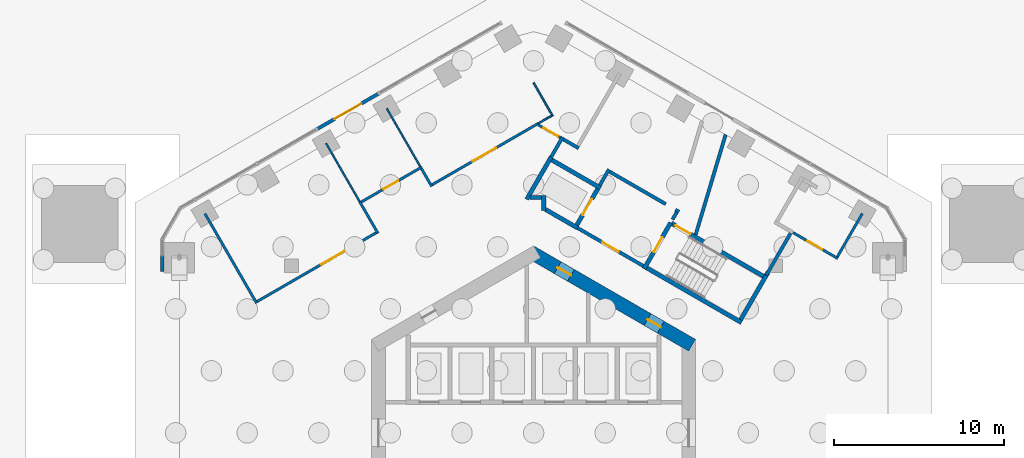
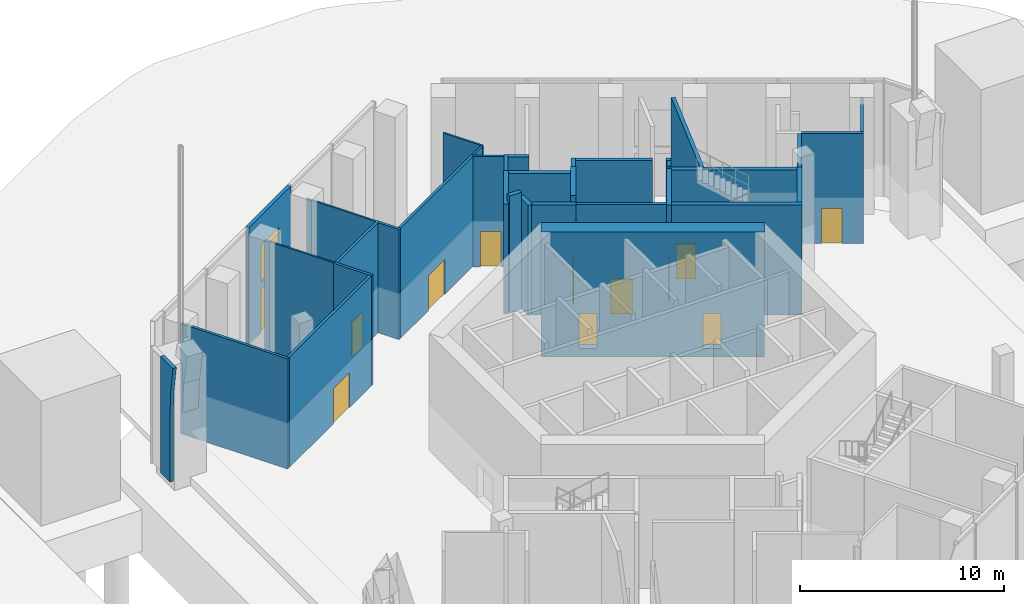
# One storey, part 11 of 18: 35 walls, 12 doors, 1 window, 13 openings.
"""IFC4 building model written with IfcOpenShell, lengths in metres."""

from ifc_helpers import new_model, si_unit, direction, frame, frame_2d, origin, place, context, subcontext, project, spatial, polyline, rectangle, outline, extrude, material, layer, layer_set, type_object, element, fill, save


model = new_model("IFC4")

# Units and contexts
model_context = context("Model", 3, precision=1e-05, world=origin(), true_north=direction((0.0, 1.0)))
body_context = subcontext(model_context, "Body", "Model", "MODEL_VIEW")
ifc_project = project(units=[si_unit("LENGTHUNIT", "METRE"), si_unit("AREAUNIT", "SQUARE_METRE"), si_unit("VOLUMEUNIT", "CUBIC_METRE"), si_unit("PLANEANGLEUNIT", "RADIAN"), si_unit("MASSUNIT", "GRAM", prefix="KILO")], contexts=[model_context])

# Site, building, storey
site_placement = place(None, origin())
site = spatial("IfcSite", under=ifc_project, at=site_placement, CompositionType="ELEMENT")
building_placement = place(site_placement, origin())
building = spatial("IfcBuilding", under=site, at=building_placement, Name="Ayvan Gate Tower", CompositionType="ELEMENT")
storey_placement = place(building_placement, origin())
storey = spatial("IfcBuildingStorey", under=building, at=storey_placement, Name="L00", CompositionType="ELEMENT", Elevation=0.0)

# Wall
ifc_material_1 = material(Name="Pale metal cladding on insulated wall")
ifc_layer_1 = layer(ifc_material_1, 0.199951171875)
ifc_layer_set_1 = layer_set([ifc_layer_1], Name="Pale metal cladding on insulated wall")
wall_type_1 = type_object("IfcWallType", Name="Arch tympanum wall 200", PredefinedType="SOLIDWALL", material=ifc_layer_set_1)
wall_1_placement = place(storey_placement, frame((-21.6845703125, 10.399658203125, 7.0), z_axis=(1.0, 0.0, 0.0), x_axis=(0.0, -1.0, 0.0)))
element("IfcWall", 1, at=wall_1_placement, inside=storey, type_object=wall_type_1, Name="Arch tympanum wall L00 face 3", PredefinedType="SOLIDWALL", context=body_context, shape_type="SweptSolid", body=[
    extrude(outline(polyline([(0.0, 0.0), (1.222900390625, 0.0), (1.2158203125, 0.028076171875), (0.994140625, 1.5068359375), (0.920166015625, 3.0), (0.920166015625, 7.0), (0.0, 7.0), (0.0, 0.0)])), origin(), (0.0, 0.0, -1.0), 0.199951171875),
])

# Wall, openings, doors
ifc_material_2 = material(Name="Concrete C70/85", Category="concrete")
ifc_layer_2 = layer(ifc_material_2, 0.800048828125)
ifc_layer_set_2 = layer_set([ifc_layer_2], Name="Concrete C70/85")
wall_type_2 = type_object("IfcWallType", Name="Core wall 800 C70/85", PredefinedType="SHEAR", material=ifc_layer_set_2)
wall_2_placement = place(storey_placement, frame((9.300048828125, 5.138427734375, -0.5), z_axis=(0.0, 0.0, 1.0), x_axis=(-0.866023993627, 0.500002442456, 0.0)))
wall_2 = element("IfcWall", 2, at=wall_2_placement, inside=storey, type_object=wall_type_2, Name="CORE-L00-1", PredefinedType="SHEAR", context=body_context, shape_type="SweptSolid", body=[
    extrude(rectangle(XDim=10.9697265625, YDim=0.800048828125, at=frame_2d((5.48486328125, 0.0))), origin(), (0.0, 0.0, 1.0), 7.5),
])
opening_1_placement = place(wall_2_placement, frame((8.209716796875, 0.0, 0.5)))
opening_1 = element("IfcOpeningElement", 3, at=opening_1_placement, cuts=wall_2, Name="Opening L00-D87", PredefinedType="OPENING", context=body_context, shape_type="SweptSolid", body=[
    extrude(rectangle(XDim=0.89990234375, YDim=2.10009765625, at=frame_2d((0.449951171875, 1.050048828125))), frame((0.0, 0.409912109375, 0.0), z_axis=(0.0, -1.0, 0.0), x_axis=(1.0, 0.0, 0.0)), (0.0, 0.0, 1.0), 0.820068359375),
])
opening_2_placement = place(wall_2_placement, frame((2.1259765625, 0.0, 0.5)))
opening_2 = element("IfcOpeningElement", 4, at=opening_2_placement, cuts=wall_2, Name="Opening L00-D88", PredefinedType="OPENING", context=body_context, shape_type="SweptSolid", body=[
    extrude(rectangle(XDim=0.89990234375, YDim=2.10009765625, at=frame_2d((0.449951171875, 1.050048828125))), frame((0.0, 0.409912109375, 0.0), z_axis=(0.0, -1.0, 0.0), x_axis=(1.0, 0.0, 0.0)), (0.0, 0.0, 1.0), 0.820068359375),
])
ifc_material_3 = material(Name="Timber door leaf", Category="wood")
door_type_1 = type_object("IfcDoorType", Name="DT-900", OperationType="NOTDEFINED", PredefinedType="DOOR", material=ifc_material_3)
door_1_placement = place(opening_1_placement, origin())
door_1 = element("IfcDoor", 5, at=door_1_placement, inside=storey, type_object=door_type_1, Name="CD-L00-87", OperationType="SINGLE_SWING_LEFT", OverallHeight=2.10009765625, OverallWidth=0.89990234375, PredefinedType="DOOR", context=body_context, shape_type="SweptSolid", body=[
    extrude(rectangle(XDim=0.89990234375, YDim=2.10009765625, at=frame_2d((0.449951171875, 1.050048828125))), frame((0.0, 0.02490234375, 0.0), z_axis=(0.0, -1.0, 0.0), x_axis=(1.0, 0.0, 0.0)), (0.0, 0.0, 1.0), 0.050048828125),
])
fill(opening_1, door_1)
door_2_placement = place(opening_2_placement, origin())
door_2 = element("IfcDoor", 6, at=door_2_placement, inside=storey, type_object=door_type_1, Name="CD-L00-88", OperationType="SINGLE_SWING_RIGHT", OverallHeight=2.10009765625, OverallWidth=0.89990234375, PredefinedType="DOOR", context=body_context, shape_type="SweptSolid", body=[
    extrude(rectangle(XDim=0.89990234375, YDim=2.10009765625, at=frame_2d((0.449951171875, 1.050048828125))), frame((0.0, 0.02490234375, 0.0), z_axis=(0.0, -1.0, 0.0), x_axis=(1.0, 0.0, 0.0)), (0.0, 0.0, 1.0), 0.050048828125),
])
fill(opening_2, door_2)

# Wall, openings, door, window
ifc_material_4 = material(Name="Insulated metal panel wall")
ifc_layer_3 = layer(ifc_material_4, 0.199951171875)
ifc_layer_set_3 = layer_set([ifc_layer_3], Name="Insulated metal panel wall")
wall_type_3 = type_object("IfcWallType", Name="Lobby entrance wall 200", PredefinedType="SOLIDWALL", material=ifc_layer_set_3)
wall_3_placement = place(storey_placement, frame((-9.11376953125, 19.892822265625, 0.0), z_axis=(0.0, 0.0, 1.0), x_axis=(-0.866036113234, -0.499981450231, 0.0)))
wall_3 = element("IfcWall", 7, at=wall_3_placement, inside=storey, type_object=wall_type_3, Name="EW:L00:2:ent", PredefinedType="SOLIDWALL", context=body_context, shape_type="SweptSolid", body=[
    extrude(rectangle(XDim=4.107177734375, YDim=0.199951171875, at=frame_2d((2.0537109375, 0.0))), origin(), (0.0, 0.0, 1.0), 7.0),
])
opening_3_placement = place(wall_3_placement, frame((1.153564453125, 0.0, 0.0)))
opening_3 = element("IfcOpeningElement", 8, at=opening_3_placement, cuts=wall_3, Name="Opening L00-D82", PredefinedType="OPENING", context=body_context, shape_type="SweptSolid", body=[
    extrude(rectangle(XDim=1.800048828125, YDim=2.60009765625, at=frame_2d((0.89990234375, 1.300048828125))), frame((0.0, 0.10986328125, 0.0), z_axis=(0.0, -1.0, 0.0), x_axis=(1.0, 0.0, 0.0)), (0.0, 0.0, 1.0), 0.219970703125),
])
opening_4_placement = place(wall_3_placement, frame((1.153564453125, 0.0, 3.0)))
opening_4 = element("IfcOpeningElement", 9, at=opening_4_placement, cuts=wall_3, Name="Opening W-E", PredefinedType="OPENING", context=body_context, shape_type="SweptSolid", body=[
    extrude(rectangle(XDim=1.800048828125, YDim=2.199951171875, at=frame_2d((0.89990234375, 1.10009765625))), frame((0.0, 0.10986328125, 0.0), z_axis=(0.0, -1.0, 0.0), x_axis=(1.0, 0.0, 0.0)), (0.0, 0.0, 1.0), 0.219970703125),
])
ifc_material_5 = material(Name="Bronze anodised aluminium and clear glass", Category="aluminium")
door_type_2 = type_object("IfcDoorType", Name="Entrance door pair D-E", OperationType="DOUBLE_DOOR_DOUBLE_SWING", PredefinedType="DOOR", material=ifc_material_5)
door_3_placement = place(opening_3_placement, origin())
door_3 = element("IfcDoor", 10, at=door_3_placement, inside=storey, type_object=door_type_2, Name="Entrance door 2", OperationType="DOUBLE_DOOR_DOUBLE_SWING", OverallHeight=2.60009765625, OverallWidth=1.800048828125, PredefinedType="DOOR", context=body_context, shape_type="SweptSolid", body=[
    extrude(rectangle(XDim=1.800048828125, YDim=2.60009765625, at=frame_2d((0.89990234375, 1.300048828125))), frame((0.0, 0.02490234375, 0.0), z_axis=(0.0, -1.0, 0.0), x_axis=(1.0, 0.0, 0.0)), (0.0, 0.0, 1.0), 0.050048828125),
])
fill(opening_3, door_3)
window_type = type_object("IfcWindowType", Name="Entrance transom light W-E", PartitioningType="SINGLE_PANEL", PredefinedType="WINDOW", material=ifc_material_5)
window_placement = place(opening_4_placement, origin())
window = element("IfcWindow", 11, at=window_placement, inside=storey, type_object=window_type, Name="Entrance transom light 2", OverallHeight=2.199951171875, OverallWidth=1.800048828125, PartitioningType="SINGLE_PANEL", PredefinedType="WINDOW", context=body_context, shape_type="SweptSolid", body=[
    extrude(rectangle(XDim=1.800048828125, YDim=2.199951171875, at=frame_2d((0.89990234375, 1.10009765625))), frame((0.0, 0.030029296875, 0.0), z_axis=(0.0, -1.0, 0.0), x_axis=(1.0, 0.0, 0.0)), (0.0, 0.0, 1.0), 0.06005859375),
])
fill(opening_4, window)

# Walls
ifc_material_6 = material(Name="Plasterboard on steel stud", Category="steel")
ifc_layer_4 = layer(ifc_material_6, 0.14990234375)
ifc_layer_set_4 = layer_set([ifc_layer_4], Name="Plasterboard on steel stud")
wall_type_4 = type_object("IfcWallType", Name="WT-CORR-150", PredefinedType="PARTITIONING", material=ifc_layer_set_4)
wall_4_placement = place(storey_placement, frame((-16.2470703125, 7.60498046875, 0.0), z_axis=(0.0, 0.0, 1.0), x_axis=(-0.500020467139, 0.866013586754, 0.0)))
element("IfcWall", 12, at=wall_4_placement, inside=storey, type_object=wall_type_4, Name="IW-L00-002", PredefinedType="PARTITIONING", context=body_context, shape_type="SweptSolid", body=[
    extrude(rectangle(XDim=6.074951171875, YDim=0.14990234375, at=frame_2d((3.03759765625, 0.0))), origin(), (0.0, 0.0, 1.0), 6.60009765625),
])
wall_5_placement = place(storey_placement, frame((-10.208251953125, 13.57421875, 0.0), z_axis=(0.0, 0.0, 1.0), x_axis=(0.499961633463, -0.866047553582, 0.0)))
element("IfcWall", 13, at=wall_5_placement, inside=storey, type_object=wall_type_4, Name="IW-L00-008", PredefinedType="PARTITIONING", context=body_context, shape_type="SweptSolid", body=[
    extrude(rectangle(XDim=2.150146484375, YDim=0.14990234375, at=frame_2d((1.0751953125, 0.0))), origin(), (0.0, 0.0, 1.0), 6.60009765625),
])

# Wall, opening, door
wall_6_placement = place(storey_placement, frame((-9.235595703125, 11.739501953125, 0.0), z_axis=(0.0, 0.0, 1.0), x_axis=(-0.86604190943, -0.499971410293, 0.0)))
wall_6 = element("IfcWall", 14, at=wall_6_placement, inside=storey, type_object=wall_type_4, Name="IW-L00-013", PredefinedType="PARTITIONING", context=body_context, shape_type="SweptSolid", body=[
    extrude(rectangle(XDim=8.064453125, YDim=0.14990234375, at=frame_2d((4.0322265625, 0.0))), origin(), (0.0, 0.0, 1.0), 6.60009765625),
])
opening_5_placement = place(wall_6_placement, frame((2.132080078125, 0.0, 0.0)))
opening_5 = element("IfcOpeningElement", 15, at=opening_5_placement, cuts=wall_6, Name="Opening L00-D26", PredefinedType="OPENING", context=body_context, shape_type="SweptSolid", body=[
    extrude(rectangle(XDim=1.60009765625, YDim=2.10009765625, at=frame_2d((0.800048828125, 1.050048828125))), frame((0.0, 0.0849609375, 0.0), z_axis=(0.0, -1.0, 0.0), x_axis=(1.0, 0.0, 0.0)), (0.0, 0.0, 1.0), 0.169921875),
])
door_type_3 = type_object("IfcDoorType", Name="DT-1600", OperationType="NOTDEFINED", PredefinedType="DOOR", material=ifc_material_3)
door_4_placement = place(opening_5_placement, origin())
door_4 = element("IfcDoor", 16, at=door_4_placement, inside=storey, type_object=door_type_3, Name="ID-L00-026", OperationType="SINGLE_SWING_RIGHT", OverallHeight=2.10009765625, OverallWidth=1.60009765625, PredefinedType="DOOR", context=body_context, shape_type="SweptSolid", body=[
    extrude(rectangle(XDim=1.60009765625, YDim=2.10009765625, at=frame_2d((0.800048828125, 1.050048828125))), frame((0.0, 0.02490234375, 0.0), z_axis=(0.0, -1.0, 0.0), x_axis=(1.0, 0.0, 0.0)), (0.0, 0.0, 1.0), 0.050048828125),
])
fill(opening_5, door_4)

wall_7_placement = place(storey_placement, frame((-6.548828125, 15.60009765625, 0.0), z_axis=(0.0, 0.0, 1.0), x_axis=(-0.866036113234, -0.499981450231, 0.0)))
wall_7 = element("IfcWall", 17, at=wall_7_placement, inside=storey, type_object=wall_type_4, Name="IW-L00-022", PredefinedType="PARTITIONING", context=body_context, shape_type="SweptSolid", body=[
    extrude(rectangle(XDim=4.107177734375, YDim=0.14990234375, at=frame_2d((2.0537109375, 0.0))), origin(), (0.0, 0.0, 1.0), 6.60009765625),
])
opening_6_placement = place(wall_7_placement, frame((1.606201171875, 0.0, 0.0)))
opening_6 = element("IfcOpeningElement", 18, at=opening_6_placement, cuts=wall_7, Name="Opening L00-D25", PredefinedType="OPENING", context=body_context, shape_type="SweptSolid", body=[
    extrude(rectangle(XDim=1.0, YDim=2.10009765625, at=frame_2d((0.5, 1.050048828125))), frame((0.0, 0.0849609375, 0.0), z_axis=(0.0, -1.0, 0.0), x_axis=(1.0, 0.0, 0.0)), (0.0, 0.0, 1.0), 0.169921875),
])
door_type_4 = type_object("IfcDoorType", Name="DT-1000", OperationType="NOTDEFINED", PredefinedType="DOOR", material=ifc_material_3)
door_5_placement = place(opening_6_placement, origin())
door_5 = element("IfcDoor", 19, at=door_5_placement, inside=storey, type_object=door_type_4, Name="ID-L00-025", OperationType="SINGLE_SWING_LEFT", OverallHeight=2.10009765625, OverallWidth=1.0, PredefinedType="DOOR", context=body_context, shape_type="SweptSolid", body=[
    extrude(rectangle(XDim=1.0, YDim=2.10009765625, at=frame_2d((0.5, 1.050048828125))), frame((0.0, 0.02490234375, 0.0), z_axis=(0.0, -1.0, 0.0), x_axis=(1.0, 0.0, 0.0)), (0.0, 0.0, 1.0), 0.050048828125),
])
fill(opening_6, door_5)

# Wall
wall_8_placement = place(storey_placement, frame((-5.976318359375, 14.45849609375, 0.0), z_axis=(0.0, 0.0, 1.0), x_axis=(-0.500033551112, 0.866006032174, 0.0)))
element("IfcWall", 20, at=wall_8_placement, inside=storey, type_object=wall_type_4, Name="IW-L00-026", PredefinedType="PARTITIONING", context=body_context, shape_type="SweptSolid", body=[
    extrude(rectangle(XDim=1.2001953125, YDim=0.14990234375, at=frame_2d((0.60009765625, 0.0))), origin(), (0.0, 0.0, 1.0), 6.60009765625),
])

# Wall, opening, door
wall_9_placement = place(storey_placement, frame((0.26513671875, 18.148681640625, 0.0), z_axis=(0.0, 0.0, 1.0), x_axis=(-0.866029770671, -0.499992436255, 0.0)))
wall_9 = element("IfcWall", 21, at=wall_9_placement, inside=storey, type_object=wall_type_4, Name="IW-L00-052", PredefinedType="PARTITIONING", context=body_context, shape_type="SweptSolid", body=[
    extrude(rectangle(XDim=7.17529296875, YDim=0.14990234375, at=frame_2d((3.587646484375, 0.0))), origin(), (0.0, 0.0, 1.0), 6.60009765625),
])
opening_7_placement = place(wall_9_placement, frame((2.840087890625, 0.0, 0.0)))
opening_7 = element("IfcOpeningElement", 22, at=opening_7_placement, cuts=wall_9, Name="Opening L00-D24", PredefinedType="OPENING", context=body_context, shape_type="SweptSolid", body=[
    extrude(rectangle(XDim=1.60009765625, YDim=2.10009765625, at=frame_2d((0.800048828125, 1.050048828125))), frame((0.0, 0.0849609375, 0.0), z_axis=(0.0, -1.0, 0.0), x_axis=(1.0, 0.0, 0.0)), (0.0, 0.0, 1.0), 0.169921875),
])
door_6_placement = place(opening_7_placement, origin())
door_6 = element("IfcDoor", 23, at=door_6_placement, inside=storey, type_object=door_type_3, Name="ID-L00-024", OperationType="SINGLE_SWING_RIGHT", OverallHeight=2.10009765625, OverallWidth=1.60009765625, PredefinedType="DOOR", context=body_context, shape_type="SweptSolid", body=[
    extrude(rectangle(XDim=1.60009765625, YDim=2.10009765625, at=frame_2d((0.800048828125, 1.050048828125))), frame((0.0, 0.02490234375, 0.0), z_axis=(0.0, -1.0, 0.0), x_axis=(1.0, 0.0, 0.0)), (0.0, 0.0, 1.0), 0.050048828125),
])
fill(opening_7, door_6)

wall_10_placement = place(storey_placement, frame((1.5703125, 17.31982421875, 0.0), z_axis=(0.0, 0.0, 1.0), x_axis=(-0.866031848217, 0.499988837749, 0.0)))
wall_10 = element("IfcWall", 24, at=wall_10_placement, inside=storey, type_object=wall_type_4, Name="IW-L00-062", PredefinedType="PARTITIONING", context=body_context, shape_type="SweptSolid", body=[
    extrude(rectangle(XDim=1.50732421875, YDim=0.14990234375, at=frame_2d((0.753662109375, 0.0))), origin(), (0.0, 0.0, 1.0), 6.60009765625),
])
opening_8_placement = place(wall_10_placement, frame((0.15380859375, 0.0, 0.0)))
opening_8 = element("IfcOpeningElement", 25, at=opening_8_placement, cuts=wall_10, Name="Opening L00-D28", PredefinedType="OPENING", context=body_context, shape_type="SweptSolid", body=[
    extrude(rectangle(XDim=1.0, YDim=2.10009765625, at=frame_2d((0.5, 1.050048828125))), frame((0.0, 0.0849609375, 0.0), z_axis=(0.0, -1.0, 0.0), x_axis=(1.0, 0.0, 0.0)), (0.0, 0.0, 1.0), 0.169921875),
])
door_7_placement = place(opening_8_placement, origin())
door_7 = element("IfcDoor", 26, at=door_7_placement, inside=storey, type_object=door_type_4, Name="ID-L00-028", OperationType="SINGLE_SWING_RIGHT", OverallHeight=2.10009765625, OverallWidth=1.0, PredefinedType="DOOR", context=body_context, shape_type="SweptSolid", body=[
    extrude(rectangle(XDim=1.0, YDim=2.10009765625, at=frame_2d((0.5, 1.050048828125))), frame((0.0, 0.02490234375, 0.0), z_axis=(0.0, -1.0, 0.0), x_axis=(1.0, 0.0, 0.0)), (0.0, 0.0, 1.0), 0.050048828125),
])
fill(opening_8, door_7)

wall_11_placement = place(storey_placement, frame((17.849609375, 10.23046875, 0.0), z_axis=(0.0, 0.0, 1.0), x_axis=(-0.866042639228, 0.499970146148, 0.0)))
wall_11 = element("IfcWall", 27, at=wall_11_placement, inside=storey, type_object=wall_type_4, Name="IW-L00-104", PredefinedType="PARTITIONING", context=body_context, shape_type="SweptSolid", body=[
    extrude(rectangle(XDim=3.043212890625, YDim=0.14990234375, at=frame_2d((1.521484375, 0.0))), origin(), (0.0, 0.0, 1.0), 6.60009765625),
])
opening_9_placement = place(wall_11_placement, frame((1.05908203125, 0.0, 0.0)))
opening_9 = element("IfcOpeningElement", 28, at=opening_9_placement, cuts=wall_11, Name="Opening L00-D27", PredefinedType="OPENING", context=body_context, shape_type="SweptSolid", body=[
    extrude(rectangle(XDim=1.0, YDim=2.10009765625, at=frame_2d((0.5, 1.050048828125))), frame((0.0, 0.0849609375, 0.0), z_axis=(0.0, -1.0, 0.0), x_axis=(1.0, 0.0, 0.0)), (0.0, 0.0, 1.0), 0.169921875),
])
door_8_placement = place(opening_9_placement, origin())
door_8 = element("IfcDoor", 29, at=door_8_placement, inside=storey, type_object=door_type_4, Name="ID-L00-027", OperationType="SINGLE_SWING_LEFT", OverallHeight=2.10009765625, OverallWidth=1.0, PredefinedType="DOOR", context=body_context, shape_type="SweptSolid", body=[
    extrude(rectangle(XDim=1.0, YDim=2.10009765625, at=frame_2d((0.5, 1.050048828125))), frame((0.0, 0.02490234375, 0.0), z_axis=(0.0, -1.0, 0.0), x_axis=(1.0, 0.0, 0.0)), (0.0, 0.0, 1.0), 0.050048828125),
])
fill(opening_9, door_8)

# Walls
wall_12_placement = place(storey_placement, frame((19.28466796875, 12.865966796875, 0.0), z_axis=(0.0, 0.0, 1.0), x_axis=(-0.500062034277, -0.865989585315, 0.0)))
element("IfcWall", 30, at=wall_12_placement, inside=storey, type_object=wall_type_4, Name="IW-L00-106", PredefinedType="PARTITIONING", context=body_context, shape_type="SweptSolid", body=[
    extrude(rectangle(XDim=2.925048828125, YDim=0.14990234375, at=frame_2d((1.46240234375, 0.0))), origin(), (0.0, 0.0, 1.0), 6.60009765625),
])
ifc_layer_5 = layer(ifc_material_6, 0.10009765625)
ifc_layer_set_5 = layer_set([ifc_layer_5], Name="Plasterboard on steel stud")
wall_type_5 = type_object("IfcWallType", Name="WT-PART-100", PredefinedType="PARTITIONING", material=ifc_layer_set_5)
wall_13_placement = place(storey_placement, frame((-10.208251953125, 13.57421875, 0.0), z_axis=(0.0, 0.0, 1.0), x_axis=(-0.500052695525, 0.865994977871, 0.0)))
element("IfcWall", 31, at=wall_13_placement, inside=storey, type_object=wall_type_5, Name="IW-L00-009", PredefinedType="PARTITIONING", context=body_context, shape_type="SweptSolid", body=[
    extrude(rectangle(XDim=3.9248046875, YDim=0.10009765625, at=frame_2d((1.96240234375, 0.0))), origin(), (0.0, 0.0, 1.0), 6.60009765625),
])
wall_14_placement = place(storey_placement, frame((-6.6513671875, 15.627685546875, 0.0), z_axis=(0.0, 0.0, 1.0), x_axis=(-0.499979109433, 0.866037464623, 0.0)))
element("IfcWall", 32, at=wall_14_placement, inside=storey, type_object=wall_type_5, Name="IW-L00-023", PredefinedType="PARTITIONING", context=body_context, shape_type="SweptSolid", body=[
    extrude(rectangle(XDim=3.925048828125, YDim=0.10009765625, at=frame_2d((1.96240234375, 0.0))), origin(), (0.0, 0.0, 1.0), 6.60009765625),
])
wall_15_placement = place(storey_placement, frame((0.0, 20.535888671875, 0.0), z_axis=(0.0, 0.0, 1.0), x_axis=(0.500013631625, -0.866017533419, 0.0)))
element("IfcWall", 33, at=wall_15_placement, inside=storey, type_object=wall_type_5, Name="IW-L00-049", PredefinedType="PARTITIONING", context=body_context, shape_type="SweptSolid", body=[
    extrude(rectangle(XDim=2.25, YDim=0.10009765625, at=frame_2d((1.125, 0.0))), origin(), (0.0, 0.0, 1.0), 6.60009765625),
])
wall_16_placement = place(storey_placement, frame((1.056640625, 18.605712890625, 0.0), z_axis=(0.0, 0.0, 1.0), x_axis=(-0.8659498828, -0.500130783375, 0.0)))
element("IfcWall", 34, at=wall_16_placement, inside=storey, type_object=wall_type_5, Name="IW-L00-060", PredefinedType="PARTITIONING", context=body_context, shape_type="SweptSolid", body=[
    extrude(rectangle(XDim=0.914306640625, YDim=0.10009765625, at=frame_2d((0.45703125, 0.0))), origin(), (0.0, 0.0, 1.0), 6.60009765625),
])
ifc_layer_6 = layer(ifc_material_6, 0.199951171875)
ifc_layer_set_6 = layer_set([ifc_layer_6], Name="Plasterboard on steel stud")
wall_type_6 = type_object("IfcWallType", Name="WT-PLUMB-200", PredefinedType="PLUMBINGWALL", material=ifc_layer_set_6)
wall_17_placement = place(storey_placement, frame((1.027099609375, 16.178955078125, 0.0), z_axis=(0.0, 0.0, 1.0), x_axis=(0.499924531544, 0.866068971134, 0.0)))
element("IfcWall", 35, at=wall_17_placement, inside=storey, type_object=wall_type_6, Name="IW-L00-058", PredefinedType="PLUMBINGWALL", context=body_context, shape_type="SweptSolid", body=[
    extrude(rectangle(XDim=1.359619140625, YDim=0.199951171875, at=frame_2d((0.6796875, 0.0))), origin(), (0.0, 0.0, 1.0), 6.60009765625),
])
wall_18_placement = place(storey_placement, frame((1.743408203125, 17.219970703125, 0.0), z_axis=(0.0, 0.0, 1.0), x_axis=(0.86599391852, -0.500054530113, 0.0)))
element("IfcWall", 36, at=wall_18_placement, inside=storey, type_object=wall_type_6, Name="IW-L00-061", PredefinedType="PLUMBINGWALL", context=body_context, shape_type="SweptSolid", body=[
    extrude(rectangle(XDim=1.03955078125, YDim=0.199951171875, at=frame_2d((0.519775390625, 0.0))), origin(), (0.0, 0.0, 1.0), 6.60009765625),
])
wall_19_placement = place(storey_placement, frame((3.885009765625, 14.52880859375, 0.0), z_axis=(0.0, 0.0, 1.0), x_axis=(0.499997628298, 0.866026773083, 0.0)))
element("IfcWall", 37, at=wall_19_placement, inside=storey, type_object=wall_type_6, Name="IW-L00-073", PredefinedType="PLUMBINGWALL", context=body_context, shape_type="SweptSolid", body=[
    extrude(rectangle(XDim=1.0751953125, YDim=0.199951171875, at=frame_2d((0.53759765625, 0.0))), origin(), (0.0, 0.0, 1.0), 6.60009765625),
])
wall_20_placement = place(storey_placement, frame((4.458984375, 15.323486328125, 0.0), z_axis=(0.0, 0.0, 1.0), x_axis=(0.86601654697, -0.500015340139, 0.0)))
element("IfcWall", 38, at=wall_20_placement, inside=storey, type_object=wall_type_6, Name="IW-L00-074", PredefinedType="PLUMBINGWALL", context=body_context, shape_type="SweptSolid", body=[
    extrude(rectangle(XDim=3.80029296875, YDim=0.199951171875, at=frame_2d((1.900146484375, 0.0))), origin(), (0.0, 0.0, 1.0), 6.60009765625),
])
wall_21_placement = place(storey_placement, frame((9.507568359375, 11.625244140625, 0.0), z_axis=(0.0, 0.0, 1.0), x_axis=(0.286880018175, 0.957966520904, 0.0)))
element("IfcWall", 39, at=wall_21_placement, inside=storey, type_object=wall_type_6, Name="IW-L00-091", PredefinedType="PLUMBINGWALL", context=body_context, shape_type="SweptSolid", body=[
    extrude(rectangle(XDim=6.128173828125, YDim=0.199951171875, at=frame_2d((3.06396484375, 0.0))), origin(), (0.0, 0.0, 1.0), 6.60009765625),
])
wall_22_placement = place(storey_placement, frame((15.07763671875, 11.71533203125, 0.0), z_axis=(0.0, 0.0, 1.0), x_axis=(-0.499958946799, -0.866049104564, 0.0)))
element("IfcWall", 40, at=wall_22_placement, inside=storey, type_object=wall_type_6, Name="IW-L00-100", PredefinedType="PLUMBINGWALL", context=body_context, shape_type="SweptSolid", body=[
    extrude(rectangle(XDim=2.859619140625, YDim=0.199951171875, at=frame_2d((1.4296875, 0.0))), origin(), (0.0, 0.0, 1.0), 6.60009765625),
])

# Wall, opening, door
ifc_layer_7 = layer(ifc_material_6, 0.199951171875)
ifc_layer_set_7 = layer_set([ifc_layer_7], Name="Plasterboard on steel stud")
wall_type_7 = type_object("IfcWallType", Name="WT-RATED-200", PredefinedType="PARTITIONING", material=ifc_layer_set_7)
wall_23_placement = place(storey_placement, frame((6.4345703125, 9.794921875, 0.0), z_axis=(0.0, 0.0, 1.0), x_axis=(-0.866012907634, 0.500021643343, 0.0)))
wall_23 = element("IfcWall", 41, at=wall_23_placement, inside=storey, type_object=wall_type_7, Name="IW-L00-078", PredefinedType="PARTITIONING", context=body_context, shape_type="SweptSolid", body=[
    extrude(rectangle(XDim=4.449951171875, YDim=0.199951171875, at=frame_2d((2.22509765625, 0.0))), origin(), (0.0, 0.0, 1.0), 6.60009765625),
])
opening_10_placement = place(wall_23_placement, frame((1.675048828125, 0.0, 0.0)))
opening_10 = element("IfcOpeningElement", 42, at=opening_10_placement, cuts=wall_23, Name="Opening L00-D15", PredefinedType="OPENING", context=body_context, shape_type="SweptSolid", body=[
    extrude(rectangle(XDim=1.10009765625, YDim=2.10009765625, at=frame_2d((0.550048828125, 1.050048828125))), frame((0.0, 0.10986328125, 0.0), z_axis=(0.0, -1.0, 0.0), x_axis=(1.0, 0.0, 0.0)), (0.0, 0.0, 1.0), 0.219970703125),
])
door_type_5 = type_object("IfcDoorType", Name="DT-1100", OperationType="NOTDEFINED", PredefinedType="DOOR", material=ifc_material_3)
door_9_placement = place(opening_10_placement, origin())
door_9 = element("IfcDoor", 43, at=door_9_placement, inside=storey, type_object=door_type_5, Name="ID-L00-015", OperationType="SINGLE_SWING_LEFT", OverallHeight=2.10009765625, OverallWidth=1.10009765625, PredefinedType="DOOR", context=body_context, shape_type="SweptSolid", body=[
    extrude(rectangle(XDim=1.10009765625, YDim=2.10009765625, at=frame_2d((0.550048828125, 1.050048828125))), frame((0.0, 0.02490234375, 0.0), z_axis=(0.0, -1.0, 0.0), x_axis=(1.0, 0.0, 0.0)), (0.0, 0.0, 1.0), 0.050048828125),
])
fill(opening_10, door_9)

# Walls
wall_24_placement = place(storey_placement, frame((8.322021484375, 13.09326171875, 0.0), z_axis=(0.0, 0.0, 1.0), x_axis=(0.865658885915, -0.500634290912, 0.0)))
element("IfcWall", 44, at=wall_24_placement, inside=storey, type_object=wall_type_7, Name="IW-L00-088", PredefinedType="PARTITIONING", context=body_context, shape_type="SweptSolid", body=[
    extrude(rectangle(XDim=0.239501953125, YDim=0.199951171875, at=frame_2d((0.11962890625, 0.0))), origin(), (0.0, 0.0, 1.0), 6.60009765625),
])
wall_25_placement = place(storey_placement, frame((8.392822265625, 12.936767578125, 0.0), z_axis=(0.0, 0.0, 1.0), x_axis=(-0.499895202697, -0.866085900082, 0.0)))
element("IfcWall", 45, at=wall_25_placement, inside=storey, type_object=wall_type_7, Name="IW-L00-089", PredefinedType="PARTITIONING", context=body_context, shape_type="SweptSolid", body=[
    extrude(rectangle(XDim=0.4892578125, YDim=0.199951171875, at=frame_2d((0.24462890625, 0.0))), origin(), (0.0, 0.0, 1.0), 6.60009765625),
])
ifc_material_7 = material(Name="Concrete C50/60", Category="concrete")
ifc_layer_8 = layer(ifc_material_7, 0.25)
ifc_layer_set_8 = layer_set([ifc_layer_8], Name="Concrete C50/60")
wall_type_8 = type_object("IfcWallType", Name="WT-RC-250", PredefinedType="SHEAR", material=ifc_layer_set_8)
wall_26_placement = place(storey_placement, frame((-0.403076171875, 13.70166015625, 0.0), z_axis=(0.0, 0.0, 1.0), x_axis=(0.499976111731, 0.866039195244, 0.0)))
element("IfcWall", 46, at=wall_26_placement, inside=storey, type_object=wall_type_8, Name="IW-L00-046", PredefinedType="SHEAR", context=body_context, shape_type="SweptSolid", body=[
    extrude(rectangle(XDim=2.860595703125, YDim=0.25, at=frame_2d((1.43017578125, 0.0))), origin(), (0.0, 0.0, 1.0), 6.60009765625),
])
wall_27_placement = place(storey_placement, frame((0.60009765625, 13.03857421875, 0.0), z_axis=(0.0, 0.0, 1.0), x_axis=(0.0, 1.0, 0.0)))
element("IfcWall", 47, at=wall_27_placement, inside=storey, type_object=wall_type_8, Name="IW-L00-056", PredefinedType="SHEAR", context=body_context, shape_type="SweptSolid", body=[
    extrude(rectangle(XDim=0.896484375, YDim=0.25, at=frame_2d((0.4482421875, 0.0))), origin(), (0.0, 0.0, 1.0), 6.60009765625),
])
wall_28_placement = place(storey_placement, frame((0.47509765625, 13.81005859375, 0.0), z_axis=(0.0, 0.0, 1.0), x_axis=(-1.0, 0.0, 0.0)))
element("IfcWall", 48, at=wall_28_placement, inside=storey, type_object=wall_type_8, Name="IW-L00-057", PredefinedType="SHEAR", context=body_context, shape_type="SweptSolid", body=[
    extrude(rectangle(XDim=0.690673828125, YDim=0.25, at=frame_2d((0.34521484375, 0.0))), origin(), (0.0, 0.0, 1.0), 7.0),
])
wall_29_placement = place(storey_placement, frame((1.072998046875, 16.00830078125, 0.0), z_axis=(0.0, 0.0, 1.0), x_axis=(0.866040211805, -0.499974350878, 0.0)))
element("IfcWall", 49, at=wall_29_placement, inside=storey, type_object=wall_type_8, Name="IW-L00-059", PredefinedType="SHEAR", context=body_context, shape_type="SweptSolid", body=[
    extrude(rectangle(XDim=3.300048828125, YDim=0.25, at=frame_2d((1.64990234375, 0.0))), origin(), (0.0, 0.0, 1.0), 6.60009765625),
])
wall_30_placement = place(storey_placement, frame((2.580810546875, 12.02001953125, 0.0), z_axis=(0.0, 0.0, 1.0), x_axis=(-0.86603892542, 0.499976579108, 0.0)))
element("IfcWall", 50, at=wall_30_placement, inside=storey, type_object=wall_type_8, Name="IW-L00-067", PredefinedType="SHEAR", context=body_context, shape_type="SweptSolid", body=[
    extrude(rectangle(XDim=2.162109375, YDim=0.25, at=frame_2d((1.0810546875, 0.0))), origin(), (0.0, 0.0, 1.0), 6.60009765625),
])

# Wall, opening, door
wall_31_placement = place(storey_placement, frame((2.534912109375, 12.19091796875, 0.0), z_axis=(0.0, 0.0, 1.0), x_axis=(0.500061746146, 0.865989751695, 0.0)))
wall_31 = element("IfcWall", 51, at=wall_31_placement, inside=storey, type_object=wall_type_8, Name="IW-L00-068", PredefinedType="SHEAR", context=body_context, shape_type="SweptSolid", body=[
    extrude(rectangle(XDim=2.449951171875, YDim=0.25, at=frame_2d((1.22509765625, 0.0))), origin(), (0.0, 0.0, 1.0), 7.0),
])
opening_11_placement = place(wall_31_placement, frame((0.675048828125, 0.0, 0.0)))
opening_11 = element("IfcOpeningElement", 52, at=opening_11_placement, cuts=wall_31, Name="Opening L00-LD-FF1", PredefinedType="OPENING", context=body_context, shape_type="SweptSolid", body=[
    extrude(rectangle(XDim=1.10009765625, YDim=2.10009765625, at=frame_2d((0.550048828125, 1.050048828125))), frame((0.0, 0.135009765625, 0.0), z_axis=(0.0, -1.0, 0.0), x_axis=(1.0, 0.0, 0.0)), (0.0, 0.0, 1.0), 0.27001953125),
])
ifc_material_8 = material(Name="Stainless steel landing door", Category="steel")
door_type_6 = type_object("IfcDoorType", Name="DT-LANDING-1100", OperationType="SLIDING_TO_LEFT", PredefinedType="DOOR", material=ifc_material_8)
door_10_placement = place(opening_11_placement, origin())
door_10 = element("IfcDoor", 53, at=door_10_placement, inside=storey, type_object=door_type_6, Name="ID-L00-016", OperationType="SLIDING_TO_LEFT", OverallHeight=2.10009765625, OverallWidth=1.10009765625, PredefinedType="DOOR", context=body_context, shape_type="SweptSolid", body=[
    extrude(rectangle(XDim=1.10009765625, YDim=2.10009765625, at=frame_2d((0.550048828125, 1.050048828125))), frame((0.0, 0.02490234375, 0.0), z_axis=(0.0, -1.0, 0.0), x_axis=(1.0, 0.0, 0.0)), (0.0, 0.0, 1.0), 0.050048828125),
])
fill(opening_11, door_10)

wall_32_placement = place(storey_placement, frame((6.480224609375, 9.624267578125, 0.0), z_axis=(0.0, 0.0, 1.0), x_axis=(0.500004234368, 0.866022959057, 0.0)))
wall_32 = element("IfcWall", 54, at=wall_32_placement, inside=storey, type_object=wall_type_8, Name="IW-L00-079", PredefinedType="SHEAR", context=body_context, shape_type="SweptSolid", body=[
    extrude(rectangle(XDim=3.125, YDim=0.25, at=frame_2d((1.5625, 0.0))), origin(), (0.0, 0.0, 1.0), 6.60009765625),
])
opening_12_placement = place(wall_32_placement, frame((1.139892578125, 0.0, 0.0)))
opening_12 = element("IfcOpeningElement", 55, at=opening_12_placement, cuts=wall_32, Name="Opening L00-D14", PredefinedType="OPENING", context=body_context, shape_type="SweptSolid", body=[
    extrude(rectangle(XDim=1.0, YDim=2.10009765625, at=frame_2d((0.5, 1.050048828125))), frame((0.0, 0.135009765625, 0.0), z_axis=(0.0, -1.0, 0.0), x_axis=(1.0, 0.0, 0.0)), (0.0, 0.0, 1.0), 0.27001953125),
])
door_11_placement = place(opening_12_placement, origin())
door_11 = element("IfcDoor", 56, at=door_11_placement, inside=storey, type_object=door_type_4, Name="ID-L00-014", OperationType="SINGLE_SWING_RIGHT", OverallHeight=2.10009765625, OverallWidth=1.0, PredefinedType="DOOR", context=body_context, shape_type="SweptSolid", body=[
    extrude(rectangle(XDim=1.0, YDim=2.10009765625, at=frame_2d((0.5, 1.050048828125))), frame((0.0, 0.02490234375, 0.0), z_axis=(0.0, -1.0, 0.0), x_axis=(1.0, 0.0, 0.0)), (0.0, 0.0, 1.0), 0.050048828125),
])
fill(opening_12, door_11)

wall_33_placement = place(storey_placement, frame((8.0859375, 12.3056640625, 0.0), z_axis=(0.0, 0.0, 1.0), x_axis=(0.866027988781, -0.499995522627, 0.0)))
wall_33 = element("IfcWall", 57, at=wall_33_placement, inside=storey, type_object=wall_type_8, Name="IW-L00-087", PredefinedType="SHEAR", context=body_context, shape_type="SweptSolid", body=[
    extrude(rectangle(XDim=6.47509765625, YDim=0.25, at=frame_2d((3.237548828125, 0.0))), origin(), (0.0, 0.0, 1.0), 6.60009765625),
])
opening_13_placement = place(wall_33_placement, frame((0.28466796875, 0.0, 0.0)))
opening_13 = element("IfcOpeningElement", 58, at=opening_13_placement, cuts=wall_33, Name="Opening L00-D13", PredefinedType="OPENING", context=body_context, shape_type="SweptSolid", body=[
    extrude(rectangle(XDim=1.0, YDim=2.10009765625, at=frame_2d((0.5, 1.050048828125))), frame((0.0, 0.135009765625, 0.0), z_axis=(0.0, -1.0, 0.0), x_axis=(1.0, 0.0, 0.0)), (0.0, 0.0, 1.0), 0.27001953125),
])
door_12_placement = place(opening_13_placement, origin())
door_12 = element("IfcDoor", 59, at=door_12_placement, inside=storey, type_object=door_type_4, Name="ID-L00-013", OperationType="SINGLE_SWING_LEFT", OverallHeight=2.10009765625, OverallWidth=1.0, PredefinedType="DOOR", context=body_context, shape_type="SweptSolid", body=[
    extrude(rectangle(XDim=1.0, YDim=2.10009765625, at=frame_2d((0.5, 1.050048828125))), frame((0.0, 0.02490234375, 0.0), z_axis=(0.0, -1.0, 0.0), x_axis=(1.0, 0.0, 0.0)), (0.0, 0.0, 1.0), 0.050048828125),
])
fill(opening_13, door_12)

# Walls
wall_34_placement = place(storey_placement, frame((12.193603515625, 6.469970703125, 0.0), z_axis=(0.0, 0.0, 1.0), x_axis=(-0.866025499775, 0.499999833739, 0.0)))
element("IfcWall", 60, at=wall_34_placement, inside=storey, type_object=wall_type_8, Name="IW-L00-096", PredefinedType="SHEAR", context=body_context, shape_type="SweptSolid", body=[
    extrude(rectangle(XDim=6.39990234375, YDim=0.25, at=frame_2d((3.199951171875, 0.0))), origin(), (0.0, 0.0, 1.0), 6.60009765625),
])
wall_35_placement = place(storey_placement, frame((13.7548828125, 9.424072265625, 0.0), z_axis=(0.0, 0.0, 1.0), x_axis=(-0.500011789842, -0.866018596809, 0.0)))
element("IfcWall", 61, at=wall_35_placement, inside=storey, type_object=wall_type_8, Name="IW-L00-097", PredefinedType="SHEAR", context=body_context, shape_type="SweptSolid", body=[
    extrude(rectangle(XDim=3.2138671875, YDim=0.25, at=frame_2d((1.60693359375, 0.0))), origin(), (0.0, 0.0, 1.0), 6.60009765625),
])

save(model, "model.ifc")
